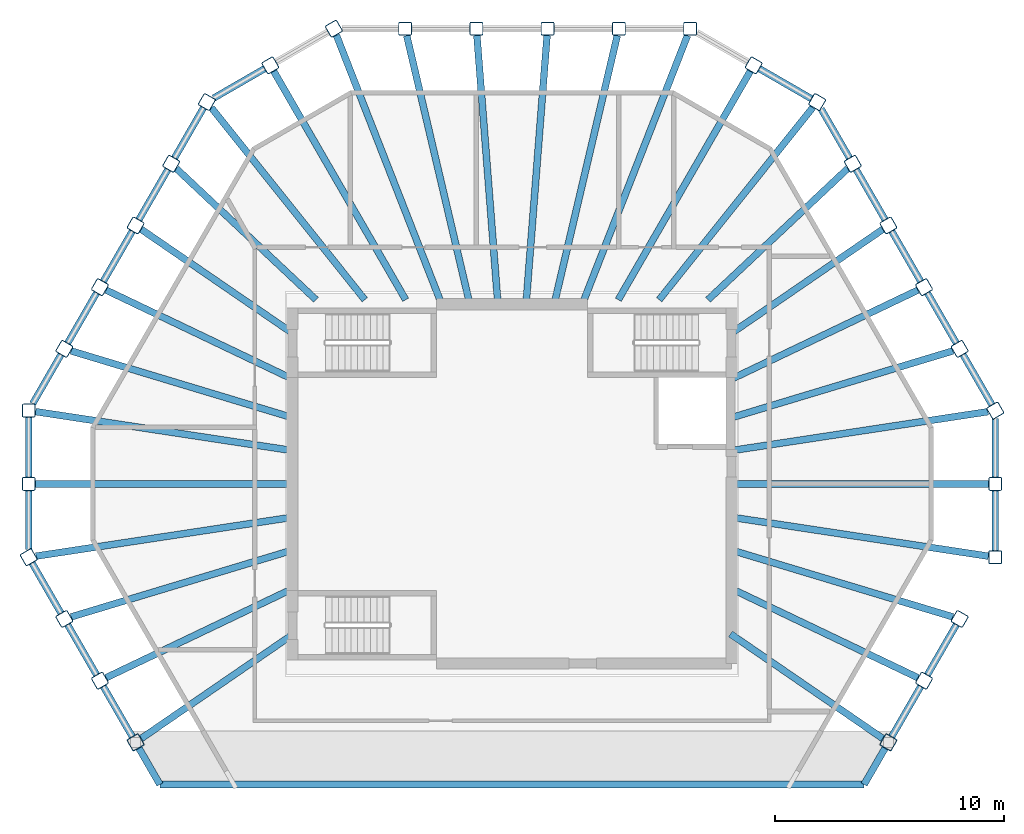
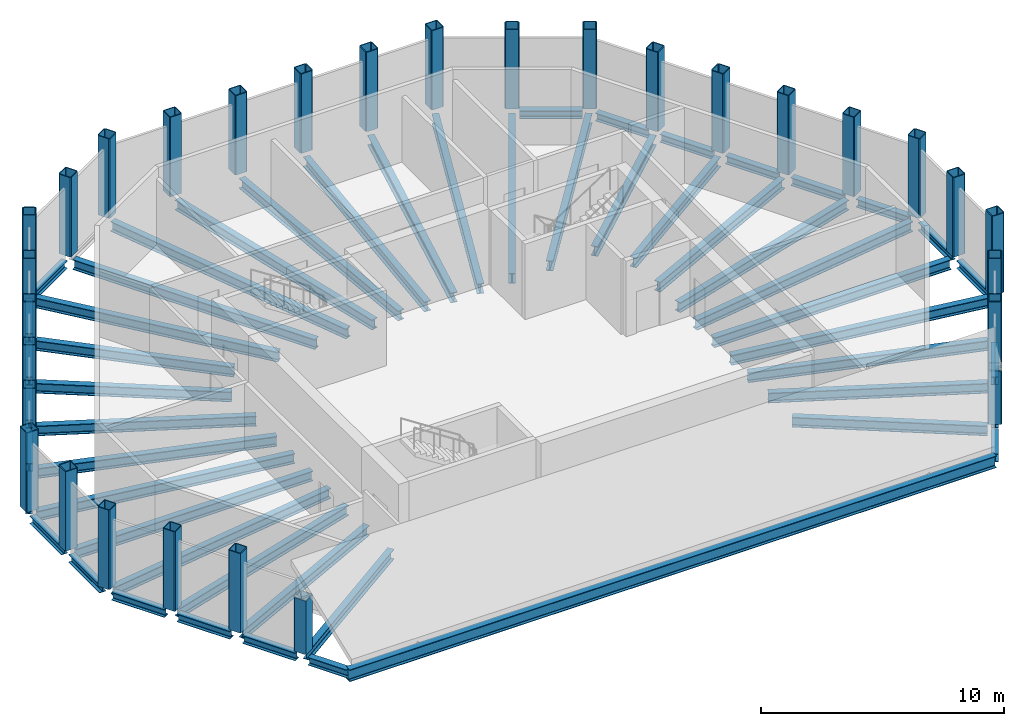
# One storey, part 1 of 5: 54 beams, 30 columns.
"""IFC4 building model written with IfcOpenShell, lengths in metres."""

from ifc_helpers import new_model, si_unit, direction, frame, origin, origin_2d, place, context, subcontext, project, spatial, hollow_rectangle, i_section, extrude, material, material_profile, profile_set, type_object, element, save


model = new_model("IFC4")

# Units and contexts
model_context = context("Model", 3, precision=1e-05, world=origin(), true_north=direction((0.0, 1.0)))
body_context = subcontext(model_context, "Body", "Model", "MODEL_VIEW")
ifc_project = project(units=[si_unit("LENGTHUNIT", "METRE"), si_unit("AREAUNIT", "SQUARE_METRE"), si_unit("VOLUMEUNIT", "CUBIC_METRE"), si_unit("PLANEANGLEUNIT", "RADIAN"), si_unit("MASSUNIT", "GRAM", prefix="KILO")], contexts=[model_context])

# Site, building, storey
site_placement = place(None, origin())
site = spatial("IfcSite", under=ifc_project, at=site_placement, CompositionType="ELEMENT")
building_placement = place(site_placement, origin())
building = spatial("IfcBuilding", under=site, at=building_placement, Name="Frailejon Research Tower", CompositionType="ELEMENT")
storey_placement = place(building_placement, frame((0.0, 0.0, 352.60009765625)))
storey = spatial("IfcBuildingStorey", under=building, at=storey_placement, Name="L79", CompositionType="ELEMENT", Elevation=352.60009765625)

# Columns
ifc_material_1 = material(Name="Steel S355", Category="steel")
ifc_material_profile_1 = material_profile(ifc_material_1, hollow_rectangle(XDim=0.60009765625, YDim=0.60009765625, WallThickness=0.0400390625, InnerFilletRadius=0.0400390625, OuterFilletRadius=0.080078125, at=origin_2d()), Name="Crown column")
ifc_profile_set_1 = profile_set([ifc_material_profile_1], Name="Steel S355")
column_type = type_object("IfcColumnType", Name="Crown column", PredefinedType="COLUMN", material=ifc_profile_set_1)
for number, where, z_axis, x_axis, name in (
    (1, (21.12744140625, -3.2060546875, 0.0), (0.0, 0.0, 1.0), (0.0, 1.0, 0.0), "Column C01"),
    (2, (21.12744140625, 0.0, 0.0), (0.0, 0.0, 1.0), (0.0, 1.0, 0.0), "Column C02"),
    (3, (21.12744140625, 3.2060546875, 0.0), (0.0, 0.0, 1.0), (-0.5, 0.866025403784, 0.0), "Column C03"),
    (4, (19.570068359375, 5.903564453125, 0.0), (0.0, 0.0, 1.0), (-0.5, 0.866025403784, 0.0), "Column C04"),
    (5, (18.0126953125, 8.601318359375, 0.0), (0.0, 0.0, 1.0), (-0.5, 0.866025403784, 0.0), "Column C05"),
    (6, (16.455078125, 11.298828125, 0.0), (0.0, 0.0, 1.0), (-0.5, 0.866025403784, 0.0), "Column C06"),
    (7, (14.897705078125, 13.996337890625, 0.0), (0.0, 0.0, 1.0), (-0.5, 0.866025403784, 0.0), "Column C07"),
    (8, (13.34033203125, 16.69384765625, 0.0), (0.0, 0.0, 1.0), (-0.866025403784, 0.5, 0.0), "Column C08"),
    (9, (10.563720703125, 18.297119140625, 0.0), (0.0, 0.0, 1.0), (-0.866025403784, 0.5, 0.0), "Column C09"),
    (10, (7.787109375, 19.89990234375, 0.0), (0.0, 0.0, 1.0), (-1.0, 0.0, 0.0), "Column C10"),
    (11, (4.67236328125, 19.89990234375, 0.0), (0.0, 0.0, 1.0), (-1.0, 0.0, 0.0), "Column C11"),
    (12, (1.557373046875, 19.89990234375, 0.0), (0.0, 0.0, 1.0), (-1.0, 0.0, 0.0), "Column C12"),
    (13, (-1.557373046875, 19.89990234375, 0.0), (0.0, 0.0, 1.0), (-1.0, 0.0, 0.0), "Column C13"),
    (14, (-4.67236328125, 19.89990234375, 0.0), (0.0, 0.0, 1.0), (-1.0, 0.0, 0.0), "Column C14"),
    (15, (-7.787109375, 19.89990234375, 0.0), (0.0, 0.0, 1.0), (-0.866025403784, -0.5, 0.0), "Column C15"),
    (16, (-10.563720703125, 18.297119140625, 0.0), (0.0, 0.0, 1.0), (-0.866025403784, -0.5, 0.0), "Column C16"),
    (17, (-13.34033203125, 16.69384765625, 0.0), (0.0, 0.0, 1.0), (-0.5, -0.866025403784, 0.0), "Column C17"),
    (18, (-14.897705078125, 13.996337890625, 0.0), (0.0, 0.0, 1.0), (-0.5, -0.866025403784, 0.0), "Column C18"),
    (19, (-16.455078125, 11.298828125, 0.0), (0.0, 0.0, 1.0), (-0.5, -0.866025403784, 0.0), "Column C19"),
    (20, (-18.0126953125, 8.601318359375, 0.0), (0.0, 0.0, 1.0), (-0.5, -0.866025403784, 0.0), "Column C20"),
    (21, (-19.570068359375, 5.903564453125, 0.0), (0.0, 0.0, 1.0), (-0.5, -0.866025403784, 0.0), "Column C21"),
    (22, (-21.12744140625, 3.2060546875, 0.0), (0.0, 0.0, 1.0), (0.0, -1.0, 0.0), "Column C22"),
    (23, (-21.12744140625, 0.0, 0.0), (0.0, 0.0, 1.0), (0.0, -1.0, 0.0), "Column C23"),
    (24, (-21.12744140625, -3.2060546875, 0.0), (0.0, 0.0, 1.0), (0.5, -0.866025403784, 0.0), "Column C24"),
    (25, (-19.570068359375, -5.903564453125, 0.0), (0.0, 0.0, 1.0), (0.5, -0.866025403784, 0.0), "Column C25"),
    (26, (-18.0126953125, -8.601318359375, 0.0), (0.0, 0.0, 1.0), (0.5, -0.866025403784, 0.0), "Column C26"),
):
    element("IfcColumn", number, at=place(storey_placement, frame(where, z_axis=z_axis, x_axis=x_axis)), inside=storey, type_object=column_type, Name=name, PredefinedType="COLUMN", context=body_context, shape_type="SweptSolid", body=[
        extrude(hollow_rectangle(XDim=0.60009765625, YDim=0.60009765625, WallThickness=0.0400390625, InnerFilletRadius=0.0400390625, OuterFilletRadius=0.080078125, at=origin_2d()), origin(), (0.0, 0.0, 1.0), 4.0),
    ])
for number, where, z_axis, x_axis, name in (
    (27, (-16.455078125, -11.298828125, 0.0), (0.0, 0.0, 1.0), (0.5, -0.866025403784, 0.0), "Column C27"),
    (28, (16.455078125, -11.298828125, 0.0), (0.0, 0.0, 1.0), (0.5, 0.866025403784, 0.0), "Column C40"),
):
    element("IfcColumn", number, at=place(storey_placement, frame(where, z_axis=z_axis, x_axis=x_axis)), inside=storey, type_object=column_type, Name=name, PredefinedType="COLUMN", context=body_context, shape_type="SweptSolid", body=[
        extrude(hollow_rectangle(XDim=0.60009765625, YDim=0.60009765625, WallThickness=0.0400390625, InnerFilletRadius=0.0400390625, OuterFilletRadius=0.080078125, at=origin_2d()), origin(), (0.0, 0.0, 1.0), 2.7099609375),
    ])
for number, where, z_axis, x_axis, name in (
    (29, (18.0126953125, -8.601318359375, 0.0), (0.0, 0.0, 1.0), (0.5, 0.866025403784, 0.0), "Column C41"),
    (30, (19.570068359375, -5.903564453125, 0.0), (0.0, 0.0, 1.0), (0.5, 0.866025403784, 0.0), "Column C42"),
):
    element("IfcColumn", number, at=place(storey_placement, frame(where, z_axis=z_axis, x_axis=x_axis)), inside=storey, type_object=column_type, Name=name, PredefinedType="COLUMN", context=body_context, shape_type="SweptSolid", body=[
        extrude(hollow_rectangle(XDim=0.60009765625, YDim=0.60009765625, WallThickness=0.0400390625, InnerFilletRadius=0.0400390625, OuterFilletRadius=0.080078125, at=origin_2d()), origin(), (0.0, 0.0, 1.0), 4.0),
    ])

# Beams
ifc_material_2 = material(Name="Steel S355", Category="steel")
ifc_material_profile_2 = material_profile(ifc_material_2, i_section(OverallWidth=0.300048828125, OverallDepth=0.60009765625, WebThickness=0.015380859375, FlangeThickness=0.030029296875, FilletRadius=0.027099609375, at=origin_2d()), Name="HE 600 B")
ifc_profile_set_2 = profile_set([ifc_material_profile_2], Name="Steel S355")
beam_type_1 = type_object("IfcBeamType", Name="Crown chord beam", PredefinedType="BEAM", material=ifc_profile_set_2)
beam_1_placement = place(storey_placement, frame((15.390869140625, -13.14208984375, -0.5), z_axis=(-1.0, 0.0, 0.0), x_axis=(0.0, -1.0, 0.0)))
element("IfcBeam", 31, at=beam_1_placement, inside=storey, type_object=beam_type_1, Name="Crown chord beam", PredefinedType="BEAM", context=body_context, shape_type="SweptSolid", body=[
    extrude(i_section(OverallWidth=0.300048828125, OverallDepth=0.60009765625, WebThickness=0.015380859375, FlangeThickness=0.030029296875, FilletRadius=0.027099609375, at=origin_2d()), origin(), (0.0, 0.0, 1.0), 30.78173828125),
])
ifc_material_3 = material(Name="Steel S355", Category="steel")
ifc_material_profile_3 = material_profile(ifc_material_3, i_section(OverallWidth=0.300048828125, OverallDepth=0.5, WebThickness=0.014404296875, FlangeThickness=0.028076171875, FilletRadius=0.027099609375, at=origin_2d()), Name="HE 500 B")
ifc_profile_set_3 = profile_set([ifc_material_profile_3], Name="Steel S355")
beam_type_2 = type_object("IfcBeamType", Name="Crown girder", PredefinedType="BEAM", material=ifc_profile_set_3)
beam_2_placement = place(storey_placement, frame((20.827392578125, -3.16064453125, -0.4501953125), z_axis=(-0.988679931641, 0.150039970575, 0.0), x_axis=(-0.150039970575, -0.988679931641, 0.0)))
element("IfcBeam", 32, at=beam_2_placement, inside=storey, type_object=beam_type_2, Name="Crown girder", PredefinedType="BEAM", context=body_context, shape_type="SweptSolid", body=[
    extrude(i_section(OverallWidth=0.300048828125, OverallDepth=0.5, WebThickness=0.014404296875, FlangeThickness=0.028076171875, FilletRadius=0.027099609375, at=origin_2d()), origin(), (0.0, 0.0, 1.0), 11.406494140625),
])
beam_3_placement = place(storey_placement, frame((20.827392578125, 0.0, -0.4501953125), z_axis=(-1.0, 0.0, 0.0), x_axis=(0.0, -1.0, 0.0)))
element("IfcBeam", 33, at=beam_3_placement, inside=storey, type_object=beam_type_2, Name="Crown girder", PredefinedType="BEAM", context=body_context, shape_type="SweptSolid", body=[
    extrude(i_section(OverallWidth=0.300048828125, OverallDepth=0.5, WebThickness=0.014404296875, FlangeThickness=0.028076171875, FilletRadius=0.027099609375, at=origin_2d()), origin(), (0.0, 0.0, 1.0), 11.27734375),
])
beam_4_placement = place(storey_placement, frame((20.80908203125, 3.15771484375, -0.4501953125), z_axis=(-0.988681897443, -0.150027016465, 0.0), x_axis=(0.150027016465, -0.988681897443, 0.0)))
element("IfcBeam", 34, at=beam_4_placement, inside=storey, type_object=beam_type_2, Name="Crown girder", PredefinedType="BEAM", context=body_context, shape_type="SweptSolid", body=[
    extrude(i_section(OverallWidth=0.300048828125, OverallDepth=0.5, WebThickness=0.014404296875, FlangeThickness=0.028076171875, FilletRadius=0.027099609375, at=origin_2d()), origin(), (0.0, 0.0, 1.0), 11.387939453125),
])
beam_5_placement = place(storey_placement, frame((19.275146484375, 5.814697265625, -0.4501953125), z_axis=(-0.957383273928, -0.288820475041, 0.0), x_axis=(0.288820475041, -0.957383273928, 0.0)))
element("IfcBeam", 35, at=beam_5_placement, inside=storey, type_object=beam_type_2, Name="Crown girder", PredefinedType="BEAM", context=body_context, shape_type="SweptSolid", body=[
    extrude(i_section(OverallWidth=0.300048828125, OverallDepth=0.5, WebThickness=0.014404296875, FlangeThickness=0.028076171875, FilletRadius=0.027099609375, at=origin_2d()), origin(), (0.0, 0.0, 1.0), 10.157958984375),
])
beam_6_placement = place(storey_placement, frame((17.7412109375, 8.471435546875, -0.4501953125), z_axis=(-0.902407599348, -0.430883423491, 0.0), x_axis=(0.430883423491, -0.902407599348, 0.0)))
element("IfcBeam", 36, at=beam_6_placement, inside=storey, type_object=beam_type_2, Name="Crown girder", PredefinedType="BEAM", context=body_context, shape_type="SweptSolid", body=[
    extrude(i_section(OverallWidth=0.300048828125, OverallDepth=0.5, WebThickness=0.014404296875, FlangeThickness=0.028076171875, FilletRadius=0.027099609375, at=origin_2d()), origin(), (0.0, 0.0, 1.0), 9.076904296875),
])
beam_7_placement = place(storey_placement, frame((16.20703125, 11.12841796875, -0.4501953125), z_axis=(-0.824367295754, -0.566055263814, 0.0), x_axis=(0.566055263814, -0.824367295754, 0.0)))
element("IfcBeam", 37, at=beam_7_placement, inside=storey, type_object=beam_type_2, Name="Crown girder", PredefinedType="BEAM", context=body_context, shape_type="SweptSolid", body=[
    extrude(i_section(OverallWidth=0.300048828125, OverallDepth=0.5, WebThickness=0.014404296875, FlangeThickness=0.028076171875, FilletRadius=0.027099609375, at=origin_2d()), origin(), (0.0, 0.0, 1.0), 8.0751953125),
])
beam_8_placement = place(storey_placement, frame((14.673095703125, 13.785400390625, -0.4501953125), z_axis=(-0.728812369992, -0.684713465141, 0.0), x_axis=(0.684713465141, -0.728812369992, 0.0)))
element("IfcBeam", 38, at=beam_8_placement, inside=storey, type_object=beam_type_2, Name="Crown girder", PredefinedType="BEAM", context=body_context, shape_type="SweptSolid", body=[
    extrude(i_section(OverallWidth=0.300048828125, OverallDepth=0.5, WebThickness=0.014404296875, FlangeThickness=0.028076171875, FilletRadius=0.027099609375, at=origin_2d()), origin(), (0.0, 0.0, 1.0), 8.376220703125),
])
beam_9_placement = place(storey_placement, frame((13.15087890625, 16.456787109375, -0.4501953125), z_axis=(-0.624277186009, -0.781202915399, 0.0), x_axis=(0.781202915399, -0.624277186009, 0.0)))
element("IfcBeam", 39, at=beam_9_placement, inside=storey, type_object=beam_type_2, Name="Crown girder", PredefinedType="BEAM", context=body_context, shape_type="SweptSolid", body=[
    extrude(i_section(OverallWidth=0.300048828125, OverallDepth=0.5, WebThickness=0.014404296875, FlangeThickness=0.028076171875, FilletRadius=0.027099609375, at=origin_2d()), origin(), (0.0, 0.0, 1.0), 10.76123046875),
])
beam_10_placement = place(storey_placement, frame((10.413818359375, 18.037109375, -0.4501953125), z_axis=(-0.500005279996, -0.866022355356, 0.0), x_axis=(0.866022355356, -0.500005279996, 0.0)))
element("IfcBeam", 40, at=beam_10_placement, inside=storey, type_object=beam_type_2, Name="Crown girder", PredefinedType="BEAM", context=body_context, shape_type="SweptSolid", body=[
    extrude(i_section(OverallWidth=0.300048828125, OverallDepth=0.5, WebThickness=0.014404296875, FlangeThickness=0.028076171875, FilletRadius=0.027099609375, at=origin_2d()), origin(), (0.0, 0.0, 1.0), 11.5322265625),
])
beam_11_placement = place(storey_placement, frame((7.669921875, 19.60009765625, -0.4501953125), z_axis=(-0.364412707951, -0.931237552015, 0.0), x_axis=(0.931237552015, -0.364412707951, 0.0)))
element("IfcBeam", 41, at=beam_11_placement, inside=storey, type_object=beam_type_2, Name="Crown girder", PredefinedType="BEAM", context=body_context, shape_type="SweptSolid", body=[
    extrude(i_section(OverallWidth=0.300048828125, OverallDepth=0.5, WebThickness=0.014404296875, FlangeThickness=0.028076171875, FilletRadius=0.027099609375, at=origin_2d()), origin(), (0.0, 0.0, 1.0), 12.40283203125),
])
beam_12_placement = place(storey_placement, frame((4.601806640625, 19.60009765625, -0.4501953125), z_axis=(-0.228561016932, -0.973529589452, 0.0), x_axis=(0.973529589452, -0.228561016932, 0.0)))
element("IfcBeam", 42, at=beam_12_placement, inside=storey, type_object=beam_type_2, Name="Crown girder", PredefinedType="BEAM", context=body_context, shape_type="SweptSolid", body=[
    extrude(i_section(OverallWidth=0.300048828125, OverallDepth=0.5, WebThickness=0.014404296875, FlangeThickness=0.028076171875, FilletRadius=0.027099609375, at=origin_2d()), origin(), (0.0, 0.0, 1.0), 11.864013671875),
])
for number, where, z_axis, x_axis, name in (
    (43, (1.533935546875, 19.60009765625, -0.4501953125), (-0.078033956508, -0.996950701706, 0.0), (0.996950701706, -0.078033956508, 0.0), "Crown girder"),
    (44, (-1.533935546875, 19.60009765625, -0.4501953125), (0.078033956508, -0.996950701706, 0.0), (0.996950701706, 0.078033956508, 0.0), "Crown girder"),
):
    element("IfcBeam", number, at=place(storey_placement, frame(where, z_axis=z_axis, x_axis=x_axis)), inside=storey, type_object=beam_type_2, Name=name, PredefinedType="BEAM", context=body_context, shape_type="SweptSolid", body=[
        extrude(i_section(OverallWidth=0.300048828125, OverallDepth=0.5, WebThickness=0.014404296875, FlangeThickness=0.028076171875, FilletRadius=0.027099609375, at=origin_2d()), origin(), (0.0, 0.0, 1.0), 11.58544921875),
    ])
beam_13_placement = place(storey_placement, frame((-4.601806640625, 19.60009765625, -0.4501953125), z_axis=(0.228561016932, -0.973529589452, 0.0), x_axis=(0.973529589452, 0.228561016932, 0.0)))
element("IfcBeam", 45, at=beam_13_placement, inside=storey, type_object=beam_type_2, Name="Crown girder", PredefinedType="BEAM", context=body_context, shape_type="SweptSolid", body=[
    extrude(i_section(OverallWidth=0.300048828125, OverallDepth=0.5, WebThickness=0.014404296875, FlangeThickness=0.028076171875, FilletRadius=0.027099609375, at=origin_2d()), origin(), (0.0, 0.0, 1.0), 11.864013671875),
])
beam_14_placement = place(storey_placement, frame((-7.676513671875, 19.617431640625, -0.4501953125), z_axis=(0.364399348581, -0.931242779706, 0.0), x_axis=(0.931242779706, 0.364399348581, 0.0)))
element("IfcBeam", 46, at=beam_14_placement, inside=storey, type_object=beam_type_2, Name="Crown girder", PredefinedType="BEAM", context=body_context, shape_type="SweptSolid", body=[
    extrude(i_section(OverallWidth=0.300048828125, OverallDepth=0.5, WebThickness=0.014404296875, FlangeThickness=0.028076171875, FilletRadius=0.027099609375, at=origin_2d()), origin(), (0.0, 0.0, 1.0), 12.42138671875),
])
beam_15_placement = place(storey_placement, frame((-10.413818359375, 18.037109375, -0.4501953125), z_axis=(0.500005279996, -0.866022355356, 0.0), x_axis=(0.866022355356, 0.500005279996, 0.0)))
element("IfcBeam", 47, at=beam_15_placement, inside=storey, type_object=beam_type_2, Name="Crown girder", PredefinedType="BEAM", context=body_context, shape_type="SweptSolid", body=[
    extrude(i_section(OverallWidth=0.300048828125, OverallDepth=0.5, WebThickness=0.014404296875, FlangeThickness=0.028076171875, FilletRadius=0.027099609375, at=origin_2d()), origin(), (0.0, 0.0, 1.0), 11.5322265625),
])
beam_16_placement = place(storey_placement, frame((-13.13916015625, 16.442138671875, -0.4501953125), z_axis=(0.624276456161, -0.781203498637, 0.0), x_axis=(0.781203498637, 0.624276456161, 0.0)))
element("IfcBeam", 48, at=beam_16_placement, inside=storey, type_object=beam_type_2, Name="Crown girder", PredefinedType="BEAM", context=body_context, shape_type="SweptSolid", body=[
    extrude(i_section(OverallWidth=0.300048828125, OverallDepth=0.5, WebThickness=0.014404296875, FlangeThickness=0.028076171875, FilletRadius=0.027099609375, at=origin_2d()), origin(), (0.0, 0.0, 1.0), 10.742431640625),
])
beam_17_placement = place(storey_placement, frame((-14.673095703125, 13.785400390625, -0.4501953125), z_axis=(0.728812369992, -0.684713465141, 0.0), x_axis=(0.684713465141, 0.728812369992, 0.0)))
element("IfcBeam", 49, at=beam_17_placement, inside=storey, type_object=beam_type_2, Name="Crown girder", PredefinedType="BEAM", context=body_context, shape_type="SweptSolid", body=[
    extrude(i_section(OverallWidth=0.300048828125, OverallDepth=0.5, WebThickness=0.014404296875, FlangeThickness=0.028076171875, FilletRadius=0.027099609375, at=origin_2d()), origin(), (0.0, 0.0, 1.0), 8.376220703125),
])
beam_18_placement = place(storey_placement, frame((-16.20703125, 11.12841796875, -0.4501953125), z_axis=(0.824367295754, -0.566055263814, 0.0), x_axis=(0.566055263814, 0.824367295754, 0.0)))
element("IfcBeam", 50, at=beam_18_placement, inside=storey, type_object=beam_type_2, Name="Crown girder", PredefinedType="BEAM", context=body_context, shape_type="SweptSolid", body=[
    extrude(i_section(OverallWidth=0.300048828125, OverallDepth=0.5, WebThickness=0.014404296875, FlangeThickness=0.028076171875, FilletRadius=0.027099609375, at=origin_2d()), origin(), (0.0, 0.0, 1.0), 8.0751953125),
])
beam_19_placement = place(storey_placement, frame((-17.7412109375, 8.471435546875, -0.4501953125), z_axis=(0.902407599348, -0.430883423491, 0.0), x_axis=(0.430883423491, 0.902407599348, 0.0)))
element("IfcBeam", 51, at=beam_19_placement, inside=storey, type_object=beam_type_2, Name="Crown girder", PredefinedType="BEAM", context=body_context, shape_type="SweptSolid", body=[
    extrude(i_section(OverallWidth=0.300048828125, OverallDepth=0.5, WebThickness=0.014404296875, FlangeThickness=0.028076171875, FilletRadius=0.027099609375, at=origin_2d()), origin(), (0.0, 0.0, 1.0), 9.076904296875),
])
beam_20_placement = place(storey_placement, frame((-19.275146484375, 5.814697265625, -0.4501953125), z_axis=(0.957383273928, -0.288820475041, 0.0), x_axis=(0.288820475041, 0.957383273928, 0.0)))
element("IfcBeam", 52, at=beam_20_placement, inside=storey, type_object=beam_type_2, Name="Crown girder", PredefinedType="BEAM", context=body_context, shape_type="SweptSolid", body=[
    extrude(i_section(OverallWidth=0.300048828125, OverallDepth=0.5, WebThickness=0.014404296875, FlangeThickness=0.028076171875, FilletRadius=0.027099609375, at=origin_2d()), origin(), (0.0, 0.0, 1.0), 10.157958984375),
])
beam_21_placement = place(storey_placement, frame((-20.827392578125, 3.16064453125, -0.4501953125), z_axis=(0.988679931641, -0.150039970575, 0.0), x_axis=(0.150039970575, 0.988679931641, 0.0)))
element("IfcBeam", 53, at=beam_21_placement, inside=storey, type_object=beam_type_2, Name="Crown girder", PredefinedType="BEAM", context=body_context, shape_type="SweptSolid", body=[
    extrude(i_section(OverallWidth=0.300048828125, OverallDepth=0.5, WebThickness=0.014404296875, FlangeThickness=0.028076171875, FilletRadius=0.027099609375, at=origin_2d()), origin(), (0.0, 0.0, 1.0), 11.406494140625),
])
beam_22_placement = place(storey_placement, frame((-20.827392578125, 0.0, -0.4501953125), z_axis=(1.0, 0.0, 0.0), x_axis=(0.0, 1.0, 0.0)))
element("IfcBeam", 54, at=beam_22_placement, inside=storey, type_object=beam_type_2, Name="Crown girder", PredefinedType="BEAM", context=body_context, shape_type="SweptSolid", body=[
    extrude(i_section(OverallWidth=0.300048828125, OverallDepth=0.5, WebThickness=0.014404296875, FlangeThickness=0.028076171875, FilletRadius=0.027099609375, at=origin_2d()), origin(), (0.0, 0.0, 1.0), 11.27734375),
])
beam_23_placement = place(storey_placement, frame((-20.80908203125, -3.15771484375, -0.4501953125), z_axis=(0.988681897443, 0.150027016465, 0.0), x_axis=(-0.150027016465, 0.988681897443, 0.0)))
element("IfcBeam", 55, at=beam_23_placement, inside=storey, type_object=beam_type_2, Name="Crown girder", PredefinedType="BEAM", context=body_context, shape_type="SweptSolid", body=[
    extrude(i_section(OverallWidth=0.300048828125, OverallDepth=0.5, WebThickness=0.014404296875, FlangeThickness=0.028076171875, FilletRadius=0.027099609375, at=origin_2d()), origin(), (0.0, 0.0, 1.0), 11.387939453125),
])
beam_24_placement = place(storey_placement, frame((-19.275146484375, -5.814697265625, -0.4501953125), z_axis=(0.957383273928, 0.288820475041, 0.0), x_axis=(-0.288820475041, 0.957383273928, 0.0)))
element("IfcBeam", 56, at=beam_24_placement, inside=storey, type_object=beam_type_2, Name="Crown girder", PredefinedType="BEAM", context=body_context, shape_type="SweptSolid", body=[
    extrude(i_section(OverallWidth=0.300048828125, OverallDepth=0.5, WebThickness=0.014404296875, FlangeThickness=0.028076171875, FilletRadius=0.027099609375, at=origin_2d()), origin(), (0.0, 0.0, 1.0), 10.157958984375),
])
beam_25_placement = place(storey_placement, frame((-17.7412109375, -8.471435546875, -0.4501953125), z_axis=(0.902407599348, 0.430883423491, 0.0), x_axis=(-0.430883423491, 0.902407599348, 0.0)))
element("IfcBeam", 57, at=beam_25_placement, inside=storey, type_object=beam_type_2, Name="Crown girder", PredefinedType="BEAM", context=body_context, shape_type="SweptSolid", body=[
    extrude(i_section(OverallWidth=0.300048828125, OverallDepth=0.5, WebThickness=0.014404296875, FlangeThickness=0.028076171875, FilletRadius=0.027099609375, at=origin_2d()), origin(), (0.0, 0.0, 1.0), 9.076904296875),
])
for number, where, z_axis, x_axis, name in (
    (58, (-16.20703125, -11.12841796875, -0.4501953125), (0.824367295754, 0.566055263814, 0.0), (-0.566055263814, 0.824367295754, 0.0), "Crown girder"),
    (59, (16.20703125, -11.12841796875, -0.4501953125), (-0.824367295754, 0.566055263814, 0.0), (-0.566055263814, -0.824367295754, 0.0), "Crown girder"),
):
    element("IfcBeam", number, at=place(storey_placement, frame(where, z_axis=z_axis, x_axis=x_axis)), inside=storey, type_object=beam_type_2, Name=name, PredefinedType="BEAM", context=body_context, shape_type="SweptSolid", body=[
        extrude(i_section(OverallWidth=0.300048828125, OverallDepth=0.5, WebThickness=0.014404296875, FlangeThickness=0.028076171875, FilletRadius=0.027099609375, at=origin_2d()), origin(), (0.0, 0.0, 1.0), 8.0751953125),
    ])
beam_26_placement = place(storey_placement, frame((17.7412109375, -8.471435546875, -0.4501953125), z_axis=(-0.902407599348, 0.430883423491, 0.0), x_axis=(-0.430883423491, -0.902407599348, 0.0)))
element("IfcBeam", 60, at=beam_26_placement, inside=storey, type_object=beam_type_2, Name="Crown girder", PredefinedType="BEAM", context=body_context, shape_type="SweptSolid", body=[
    extrude(i_section(OverallWidth=0.300048828125, OverallDepth=0.5, WebThickness=0.014404296875, FlangeThickness=0.028076171875, FilletRadius=0.027099609375, at=origin_2d()), origin(), (0.0, 0.0, 1.0), 9.076904296875),
])
beam_27_placement = place(storey_placement, frame((19.275146484375, -5.814697265625, -0.4501953125), z_axis=(-0.957383273928, 0.288820475041, 0.0), x_axis=(-0.288820475041, -0.957383273928, 0.0)))
element("IfcBeam", 61, at=beam_27_placement, inside=storey, type_object=beam_type_2, Name="Crown girder", PredefinedType="BEAM", context=body_context, shape_type="SweptSolid", body=[
    extrude(i_section(OverallWidth=0.300048828125, OverallDepth=0.5, WebThickness=0.014404296875, FlangeThickness=0.028076171875, FilletRadius=0.027099609375, at=origin_2d()), origin(), (0.0, 0.0, 1.0), 10.157958984375),
])
ifc_material_4 = material(Name="Steel S355", Category="steel")
ifc_material_profile_4 = material_profile(ifc_material_4, i_section(OverallWidth=0.300048828125, OverallDepth=0.39990234375, WebThickness=0.013427734375, FlangeThickness=0.02392578125, FilletRadius=0.027099609375, at=origin_2d()), Name="HE 400 B")
ifc_profile_set_4 = profile_set([ifc_material_profile_4], Name="Steel S355")
beam_type_3 = type_object("IfcBeamType", Name="Crown ring beam", PredefinedType="BEAM", material=ifc_profile_set_4)
beam_28_placement = place(storey_placement, frame((21.12744140625, -2.906005859375, -0.400146484375), z_axis=(0.0, 1.0, 0.0), x_axis=(-1.0, 0.0, 0.0)))
element("IfcBeam", 62, at=beam_28_placement, inside=storey, type_object=beam_type_3, Name="Crown ring beam", PredefinedType="BEAM", context=body_context, shape_type="SweptSolid", body=[
    extrude(i_section(OverallWidth=0.300048828125, OverallDepth=0.39990234375, WebThickness=0.013427734375, FlangeThickness=0.02392578125, FilletRadius=0.027099609375, at=origin_2d()), origin(), (0.0, 0.0, 1.0), 2.60595703125),
])
beam_29_placement = place(storey_placement, frame((21.12744140625, 0.300048828125, -0.400146484375), z_axis=(0.0, 1.0, 0.0), x_axis=(-1.0, 0.0, 0.0)))
element("IfcBeam", 63, at=beam_29_placement, inside=storey, type_object=beam_type_3, Name="Crown ring beam", PredefinedType="BEAM", context=body_context, shape_type="SweptSolid", body=[
    extrude(i_section(OverallWidth=0.300048828125, OverallDepth=0.39990234375, WebThickness=0.013427734375, FlangeThickness=0.02392578125, FilletRadius=0.027099609375, at=origin_2d()), origin(), (0.0, 0.0, 1.0), 2.5595703125),
])
for number, where, z_axis, x_axis, name in (
    (64, (20.9775390625, 3.4658203125, -0.400146484375), (-0.499960554673, 0.866048176357, 0.0), (-0.866048176357, -0.499960554673, 0.0), "Crown ring beam"),
    (65, (19.420166015625, 6.163330078125, -0.400146484375), (-0.500033362991, 0.866006140796, 0.0), (-0.866006140796, -0.500033362991, 0.0), "Crown ring beam"),
    (66, (17.862548828125, 8.861083984375, -0.400146484375), (-0.499960554673, 0.866048176357, 0.0), (-0.866048176357, -0.499960554673, 0.0), "Crown ring beam"),
    (67, (16.30517578125, 11.55859375, -0.400146484375), (-0.500033362991, 0.866006140796, 0.0), (-0.866006140796, -0.500033362991, 0.0), "Crown ring beam"),
):
    element("IfcBeam", number, at=place(storey_placement, frame(where, z_axis=z_axis, x_axis=x_axis)), inside=storey, type_object=beam_type_3, Name=name, PredefinedType="BEAM", context=body_context, shape_type="SweptSolid", body=[
        extrude(i_section(OverallWidth=0.300048828125, OverallDepth=0.39990234375, WebThickness=0.013427734375, FlangeThickness=0.02392578125, FilletRadius=0.027099609375, at=origin_2d()), origin(), (0.0, 0.0, 1.0), 2.514892578125),
    ])
beam_30_placement = place(storey_placement, frame((14.747802734375, 14.256103515625, -0.400146484375), z_axis=(-0.500053484023, 0.865994522568, 0.0), x_axis=(-0.865994522568, -0.500053484023, 0.0)))
element("IfcBeam", 68, at=beam_30_placement, inside=storey, type_object=beam_type_3, Name="Crown ring beam", PredefinedType="BEAM", context=body_context, shape_type="SweptSolid", body=[
    extrude(i_section(OverallWidth=0.300048828125, OverallDepth=0.39990234375, WebThickness=0.013427734375, FlangeThickness=0.02392578125, FilletRadius=0.027099609375, at=origin_2d()), origin(), (0.0, 0.0, 1.0), 2.468505859375),
])
beam_31_placement = place(storey_placement, frame((13.08056640625, 16.843994140625, -0.400146484375), z_axis=(-0.866049872286, 0.499957616916, 0.0), x_axis=(-0.499957616916, -0.866049872286, 0.0)))
element("IfcBeam", 69, at=beam_31_placement, inside=storey, type_object=beam_type_3, Name="Crown ring beam", PredefinedType="BEAM", context=body_context, shape_type="SweptSolid", body=[
    extrude(i_section(OverallWidth=0.300048828125, OverallDepth=0.39990234375, WebThickness=0.013427734375, FlangeThickness=0.02392578125, FilletRadius=0.027099609375, at=origin_2d()), origin(), (0.0, 0.0, 1.0), 2.606201171875),
])
beam_32_placement = place(storey_placement, frame((-10.823486328125, 18.14697265625, -0.400146484375), z_axis=(-0.866039463868, -0.499975646431, 0.0), x_axis=(0.499975646431, -0.866039463868, 0.0)))
element("IfcBeam", 70, at=beam_32_placement, inside=storey, type_object=beam_type_3, Name="Crown ring beam", PredefinedType="BEAM", context=body_context, shape_type="SweptSolid", body=[
    extrude(i_section(OverallWidth=0.300048828125, OverallDepth=0.39990234375, WebThickness=0.013427734375, FlangeThickness=0.02392578125, FilletRadius=0.027099609375, at=origin_2d()), origin(), (0.0, 0.0, 1.0), 2.559814453125),
])
for number, where, z_axis, x_axis, name in (
    (71, (-13.490234375, 16.43408203125, -0.400146484375), (-0.500033362991, -0.866006140796, 0.0), (0.866006140796, -0.500033362991, 0.0), "Crown ring beam"),
    (72, (-15.047607421875, 13.736572265625, -0.400146484375), (-0.500033362991, -0.866006140796, 0.0), (0.866006140796, -0.500033362991, 0.0), "Crown ring beam"),
    (73, (-16.605224609375, 11.0390625, -0.400146484375), (-0.499960554673, -0.866048176357, 0.0), (0.866048176357, -0.499960554673, 0.0), "Crown ring beam"),
    (74, (-18.16259765625, 8.34130859375, -0.400146484375), (-0.500033362991, -0.866006140796, 0.0), (0.866006140796, -0.500033362991, 0.0), "Crown ring beam"),
):
    element("IfcBeam", number, at=place(storey_placement, frame(where, z_axis=z_axis, x_axis=x_axis)), inside=storey, type_object=beam_type_3, Name=name, PredefinedType="BEAM", context=body_context, shape_type="SweptSolid", body=[
        extrude(i_section(OverallWidth=0.300048828125, OverallDepth=0.39990234375, WebThickness=0.013427734375, FlangeThickness=0.02392578125, FilletRadius=0.027099609375, at=origin_2d()), origin(), (0.0, 0.0, 1.0), 2.514892578125),
    ])
beam_33_placement = place(storey_placement, frame((-19.72021484375, 5.643798828125, -0.400146484375), z_axis=(-0.499979306572, -0.866037350811, 0.0), x_axis=(0.866037350811, -0.499979306572, 0.0)))
element("IfcBeam", 75, at=beam_33_placement, inside=storey, type_object=beam_type_3, Name="Crown ring beam", PredefinedType="BEAM", context=body_context, shape_type="SweptSolid", body=[
    extrude(i_section(OverallWidth=0.300048828125, OverallDepth=0.39990234375, WebThickness=0.013427734375, FlangeThickness=0.02392578125, FilletRadius=0.027099609375, at=origin_2d()), origin(), (0.0, 0.0, 1.0), 2.46826171875),
])
beam_34_placement = place(storey_placement, frame((-21.12744140625, 2.906005859375, -0.400146484375), z_axis=(0.0, -1.0, 0.0), x_axis=(1.0, 0.0, 0.0)))
element("IfcBeam", 76, at=beam_34_placement, inside=storey, type_object=beam_type_3, Name="Crown ring beam", PredefinedType="BEAM", context=body_context, shape_type="SweptSolid", body=[
    extrude(i_section(OverallWidth=0.300048828125, OverallDepth=0.39990234375, WebThickness=0.013427734375, FlangeThickness=0.02392578125, FilletRadius=0.027099609375, at=origin_2d()), origin(), (0.0, 0.0, 1.0), 2.60595703125),
])
beam_35_placement = place(storey_placement, frame((-21.12744140625, -0.300048828125, -0.400146484375), z_axis=(0.0, -1.0, 0.0), x_axis=(1.0, 0.0, 0.0)))
element("IfcBeam", 77, at=beam_35_placement, inside=storey, type_object=beam_type_3, Name="Crown ring beam", PredefinedType="BEAM", context=body_context, shape_type="SweptSolid", body=[
    extrude(i_section(OverallWidth=0.300048828125, OverallDepth=0.39990234375, WebThickness=0.013427734375, FlangeThickness=0.02392578125, FilletRadius=0.027099609375, at=origin_2d()), origin(), (0.0, 0.0, 1.0), 2.5595703125),
])
for number, where, z_axis, x_axis, name in (
    (78, (-20.9775390625, -3.4658203125, -0.400146484375), (0.499960554673, -0.866048176357, 0.0), (0.866048176357, 0.499960554673, 0.0), "Crown ring beam"),
    (79, (-19.420166015625, -6.163330078125, -0.400146484375), (0.500033362991, -0.866006140796, 0.0), (0.866006140796, 0.500033362991, 0.0), "Crown ring beam"),
    (80, (-17.862548828125, -8.861083984375, -0.400146484375), (0.499960554673, -0.866048176357, 0.0), (0.866048176357, 0.499960554673, 0.0), "Crown ring beam"),
    (81, (16.605224609375, -11.0390625, -0.400146484375), (0.499960554673, 0.866048176357, 0.0), (-0.866048176357, 0.499960554673, 0.0), "Crown ring beam"),
    (82, (18.16259765625, -8.34130859375, -0.400146484375), (0.500033362991, 0.866006140796, 0.0), (-0.866006140796, 0.500033362991, 0.0), "Crown ring beam"),
):
    element("IfcBeam", number, at=place(storey_placement, frame(where, z_axis=z_axis, x_axis=x_axis)), inside=storey, type_object=beam_type_3, Name=name, PredefinedType="BEAM", context=body_context, shape_type="SweptSolid", body=[
        extrude(i_section(OverallWidth=0.300048828125, OverallDepth=0.39990234375, WebThickness=0.013427734375, FlangeThickness=0.02392578125, FilletRadius=0.027099609375, at=origin_2d()), origin(), (0.0, 0.0, 1.0), 2.514892578125),
    ])
for number, where, z_axis, x_axis, name in (
    (83, (15.390869140625, -13.14208984375, -0.400146484375), (0.500030657845, 0.866007702746, 0.0), (-0.866007702746, 0.500030657845, 0.0), "Crown ring beam"),
    (84, (-15.390869140625, -13.14208984375, -0.400146484375), (-0.500030657845, 0.866007702746, 0.0), (-0.866007702746, -0.500030657845, 0.0), "Crown ring beam"),
):
    element("IfcBeam", number, at=place(storey_placement, frame(where, z_axis=z_axis, x_axis=x_axis)), inside=storey, type_object=beam_type_3, Name=name, PredefinedType="BEAM", context=body_context, shape_type="SweptSolid", body=[
        extrude(i_section(OverallWidth=0.300048828125, OverallDepth=0.39990234375, WebThickness=0.013427734375, FlangeThickness=0.02392578125, FilletRadius=0.027099609375, at=origin_2d()), origin(), (0.0, 0.0, 1.0), 1.82861328125),
    ])

save(model, "model.ifc")
